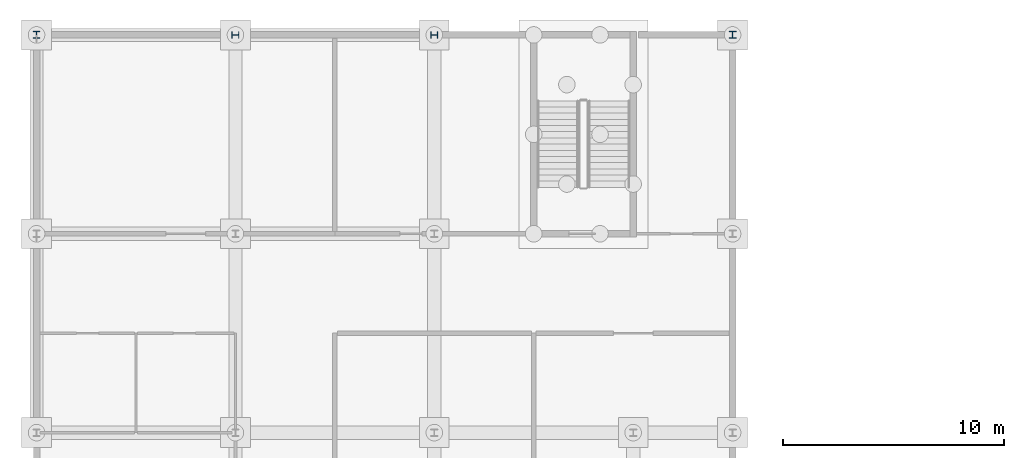
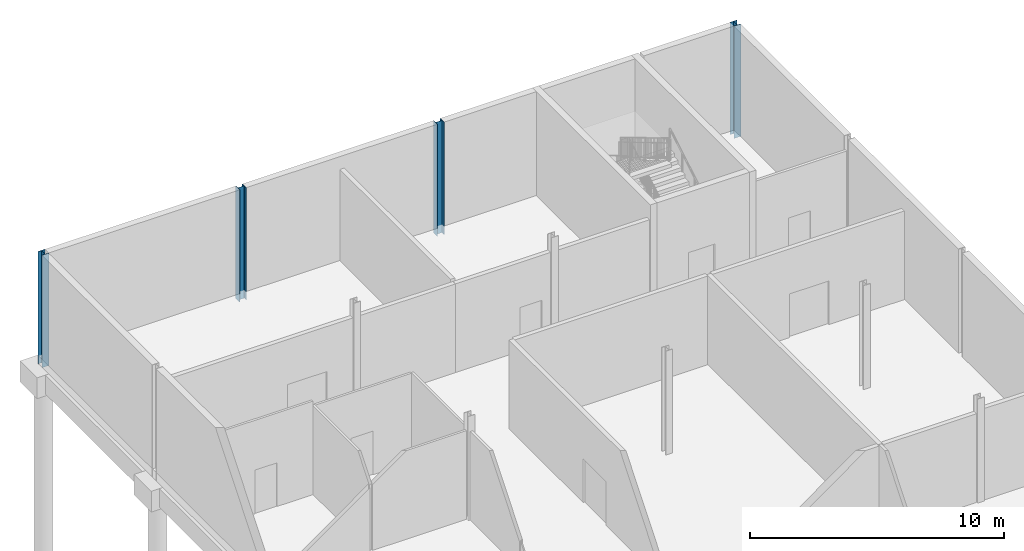
# One storey, part 12 of 25: 4 columns.
"""IFC4 building model written with IfcOpenShell, lengths in metres."""

import ifcopenshell
import ifcopenshell.guid

model = None  # the IFC model being written
_history = None  # IfcOwnerHistory: only IFC2X3 demands one
_inside = {}  # id of a spatial element -> (the spatial element, [elements in it])
_under = {}  # id of a project, library or spatial element -> (it, [spatial elements below it])
_declared = {}  # id of a project -> (the project, [libraries it declares])
_typed = {}  # id of a type object -> (the type object, [elements of that type])
_made_of = {}  # id of a material, layer set ... -> (it, [elements and type objects made of it])


def new_model(schema):
    """Start an empty IFC model of exactly this schema.

    Asked for "IFC4X3", IfcOpenShell would pick the latest addendum, in which some entities
    have other attributes; the version numbers below select the first issue.
    IFC2X3 requires an IfcOwnerHistory on every rooted entity: one is made here for all.
    """
    global model, _history
    if schema == "IFC4X3":
        model = ifcopenshell.file(schema_version=(4, 3, 0, 0))
    else:
        model = ifcopenshell.file(schema=schema)
    _inside.clear()
    _under.clear()
    _declared.clear()
    _typed.clear()
    _made_of.clear()
    _history = None
    if model.schema == "IFC2X3":
        org = make("IfcOrganization", Name="unknown")
        user = make(
            "IfcPersonAndOrganization",
            ThePerson=make("IfcPerson", FamilyName="unknown"),
            TheOrganization=org,
        )
        app = make(
            "IfcApplication",
            ApplicationDeveloper=org,
            Version="unknown",
            ApplicationFullName="unknown",
            ApplicationIdentifier="unknown",
        )
        _history = make(
            "IfcOwnerHistory",
            OwningUser=user,
            OwningApplication=app,
            ChangeAction="ADDED",
            CreationDate=0,
        )
    return model


def make(cls, **values):
    """One entity of the class cls with the attributes given. An attribute that is None is left unset."""
    return model.create_entity(
        cls, **{name: value for name, value in values.items() if value is not None}
    )


def rooted(cls, **values):
    """An entity with a GlobalId (a new one), such as an element, a storey or a relation."""
    return make(cls, GlobalId=ifcopenshell.guid.new(), OwnerHistory=_history, **values)


def si_unit(unit_type, name, prefix=None):
    """IfcSIUnit, for example si_unit("LENGTHUNIT", "METRE", prefix="MILLI")."""
    return make("IfcSIUnit", UnitType=unit_type, Prefix=prefix, Name=name)


def assignment(units):
    """IfcUnitAssignment: the units of a project."""
    return None if units is None else make("IfcUnitAssignment", Units=units)


def point(xyz):
    """IfcCartesianPoint."""
    return None if xyz is None else make("IfcCartesianPoint", Coordinates=xyz)


def direction(xyz):
    """IfcDirection."""
    return None if xyz is None else make("IfcDirection", DirectionRatios=xyz)


def frame(location, z_axis=None, x_axis=None):
    """IfcAxis2Placement3D, a coordinate frame: its origin and axes. An axis left out is left unset."""
    return make(
        "IfcAxis2Placement3D",
        Location=point(location),
        Axis=direction(z_axis),
        RefDirection=direction(x_axis),
    )


def frame_2d(location, x_axis=None):
    """IfcAxis2Placement2D, a coordinate frame in the plane: its origin and x axis."""
    return make(
        "IfcAxis2Placement2D", Location=point(location), RefDirection=direction(x_axis)
    )


def origin():
    """The frame at (0, 0, 0) with its axes left unset."""
    return frame((0.0, 0.0, 0.0))


def origin_2d():
    """The frame at (0, 0) in the plane with its x axis left unset."""
    return frame_2d((0.0, 0.0))


def place(relative_to, where):
    """IfcLocalPlacement: puts the frame where relative to a parent placement (None: the world)."""
    return make(
        "IfcLocalPlacement", PlacementRelTo=relative_to, RelativePlacement=where
    )


def context(
    kind, dimensions, precision=None, world=None, true_north=None, identifier=None
):
    """IfcGeometricRepresentationContext, for example the 3D "Model" context."""
    return make(
        "IfcGeometricRepresentationContext",
        ContextIdentifier=identifier,
        ContextType=kind,
        CoordinateSpaceDimension=dimensions,
        Precision=precision,
        WorldCoordinateSystem=world,
        TrueNorth=true_north,
    )


def subcontext(parent, identifier, kind, view, scale=None):
    """IfcGeometricRepresentationSubContext, for example "Body" below "Model"."""
    return make(
        "IfcGeometricRepresentationSubContext",
        ContextIdentifier=identifier,
        ContextType=kind,
        ParentContext=parent,
        TargetScale=scale,
        TargetView=view,
    )


def project(units=None, contexts=None):
    """IfcProject with its units and contexts."""
    return rooted(
        "IfcProject",
        Name="project",
        RepresentationContexts=contexts,
        UnitsInContext=assignment(units),
    )


def spatial(cls, under=None, at=None, **own):
    """A site, building, storey or space (cls), placed at a placement, below another one or the project."""
    s = rooted(cls, ObjectPlacement=at, **own)
    if under is not None:
        _under.setdefault(under.id(), (under, []))[1].append(s)
    return s


def profile(cls, at=None, kind="AREA", **sizes):
    """A parametric profile (cls). Its sizes go by their IFC names, for example OverallWidth=200.0."""
    return make(cls, ProfileType=kind, Position=at, **sizes)


def i_section(**sizes):
    """IfcIShapeProfileDef."""
    return profile("IfcIShapeProfileDef", **sizes)


def extrude(swept, where, along, depth):
    """IfcExtrudedAreaSolid: the profile swept, set in the frame where, extruded along a direction by depth."""
    return make(
        "IfcExtrudedAreaSolid",
        SweptArea=swept,
        Position=where,
        ExtrudedDirection=direction(along),
        Depth=depth,
    )


def shape(context_of_items, identifier, shape_type, items):
    """IfcShapeRepresentation: the items that make up one representation, for example the "Body"."""
    return make(
        "IfcShapeRepresentation",
        ContextOfItems=context_of_items,
        RepresentationIdentifier=identifier,
        RepresentationType=shape_type,
        Items=items,
    )


def material(Name=None, Category=None):
    """IfcMaterial."""
    return make("IfcMaterial", Name=Name, Category=Category)


def material_profile(
    of_material, cross_section, Name=None, Category=None, Priority=None
):
    """IfcMaterialProfile: a cross section and its material."""
    return make(
        "IfcMaterialProfile",
        Name=Name,
        Material=of_material,
        Profile=cross_section,
        Priority=Priority,
        Category=Category,
    )


def profile_set(profiles, Name=None, composite=None):
    """IfcMaterialProfileSet."""
    return make(
        "IfcMaterialProfileSet",
        Name=Name,
        MaterialProfiles=profiles,
        CompositeProfile=composite,
    )


def made_of(thing, what):
    """Note that an element or type object is made of a material, layer set ...; save() writes the relation."""
    if what is not None:
        _made_of.setdefault(what.id(), (what, []))[1].append(thing)
    return thing


def type_object(cls, material=None, **own):
    """A type object (cls), such as IfcWallType, which elements share."""
    return made_of(rooted(cls, **own), material)


def element(
    cls,
    number,
    at=None,
    inside=None,
    cuts=None,
    type_object=None,
    material=None,
    context=None,
    identifier="Body",
    shape_type=None,
    held_by="IfcProductDefinitionShape",
    body=None,
    shapes=None,
    **own,
):
    """One element of the class cls, such as IfcWall. Its Tag is "e" and its number.

    at: its placement. inside: the storey or other place that contains it. cuts: it is an
    opening in that element (IfcRelVoidsElement). A single representation is given by context,
    identifier, shape_type and body (its items); several are given by shapes. held_by: the class
    of the entity that holds the representations. save() writes the other relations.
    """
    e = rooted(cls, Tag="e%d" % number, ObjectPlacement=at, **own)
    if body is not None:
        shapes = [shape(context, identifier, shape_type, body)]
    if shapes is not None:
        e.Representation = make(held_by, Representations=shapes)
    if inside is not None:
        _inside.setdefault(inside.id(), (inside, []))[1].append(e)
    if cuts is not None:
        rooted(
            "IfcRelVoidsElement", RelatingBuildingElement=cuts, RelatedOpeningElement=e
        )
    if type_object is not None:
        _typed.setdefault(type_object.id(), (type_object, []))[1].append(e)
    return made_of(e, material)


def aggregate(whole, parts):
    """IfcRelAggregates: a whole, such as a stair, and the parts it consists of."""
    return rooted("IfcRelAggregates", RelatingObject=whole, RelatedObjects=parts)


def save(model, path):
    """Write the relations noted so far, then the file.

    IfcRelAggregates (storeys below a building ...), IfcRelContainedInSpatialStructure (elements
    in a storey), IfcRelDefinesByType, IfcRelAssociatesMaterial and IfcRelDeclares: one each for
    every whole, place, type object, material and project.
    """
    for whole, parts in _under.values():
        aggregate(whole, parts)
    for where, things in _inside.values():
        rooted(
            "IfcRelContainedInSpatialStructure",
            RelatedElements=things,
            RelatingStructure=where,
        )
    for kind, things in _typed.values():
        rooted("IfcRelDefinesByType", RelatedObjects=things, RelatingType=kind)
    for what, things in _made_of.values():
        rooted("IfcRelAssociatesMaterial", RelatedObjects=things, RelatingMaterial=what)
    for by, libraries in _declared.values():
        rooted("IfcRelDeclares", RelatingContext=by, RelatedDefinitions=libraries)
    model.write(path)


model = new_model("IFC4")

# Units and contexts
model_context = context("Model", 3, precision=1e-05, world=origin(), true_north=direction((0.0, 1.0)))
body_context = subcontext(model_context, "Body", "Model", "MODEL_VIEW")
ifc_project = project(units=[si_unit("LENGTHUNIT", "METRE"), si_unit("AREAUNIT", "SQUARE_METRE"), si_unit("VOLUMEUNIT", "CUBIC_METRE"), si_unit("PLANEANGLEUNIT", "RADIAN"), si_unit("MASSUNIT", "GRAM", prefix="KILO")], contexts=[model_context])

# Site, building, storey
site_placement = place(None, origin())
site = spatial("IfcSite", under=ifc_project, at=site_placement, CompositionType="ELEMENT")
building_placement = place(site_placement, origin())
building = spatial("IfcBuilding", under=site, at=building_placement, Name="Hortulan Conservatory and Botanical Research Centre", CompositionType="ELEMENT")
storey_placement = place(building_placement, frame((0.0, 0.0, -5.0)))
storey = spatial("IfcBuildingStorey", under=building, at=storey_placement, Name="B1", CompositionType="ELEMENT", Elevation=-5.0)

# Columns
ifc_material = material(Name="Steel Grade 300PLUS (AS/NZS 3679.1, 280 MPa minimum yield)", Category="steel")
ifc_material_profile = material_profile(ifc_material, i_section(OverallWidth=0.30908203125, OverallDepth=0.321044921875, WebThickness=0.013916015625, FlangeThickness=0.021728515625, FilletRadius=0.0166015625, at=origin_2d()), Name="310UC137")
ifc_profile_set = profile_set([ifc_material_profile], Name="Steel Grade 300PLUS (AS/NZS 3679.1, 280 MPa minimum yield)")
column_type = type_object("IfcColumnType", Name="Visitor Centre Column 310UC137", PredefinedType="COLUMN", material=ifc_profile_set)
for number, where, z_axis, x_axis, name in (
    (1, (0.0, 72.0, -0.39990234375), (0.0, 0.0, 1.0), (1.0, 0.0, 0.0), "310UC137 column"),
    (2, (9.0, 72.0, -0.39990234375), (0.0, 0.0, 1.0), (0.0, 1.0, 0.0), "310UC137 column"),
    (3, (18.0, 72.0, -0.39990234375), (0.0, 0.0, 1.0), (0.0, 1.0, 0.0), "310UC137 column"),
    (4, (31.5, 72.0, -0.39990234375), (0.0, 0.0, 1.0), (1.0, 0.0, 0.0), "310UC137 column"),
):
    element("IfcColumn", number, at=place(storey_placement, frame(where, z_axis=z_axis, x_axis=x_axis)), inside=storey, type_object=column_type, Name=name, PredefinedType="COLUMN", context=body_context, shape_type="SweptSolid", body=[
        extrude(i_section(OverallWidth=0.30908203125, OverallDepth=0.321044921875, WebThickness=0.013916015625, FlangeThickness=0.021728515625, FilletRadius=0.0166015625, at=origin_2d()), origin(), (0.0, 0.0, 1.0), 5.39990234375),
    ])

save(model, "model.ifc")
